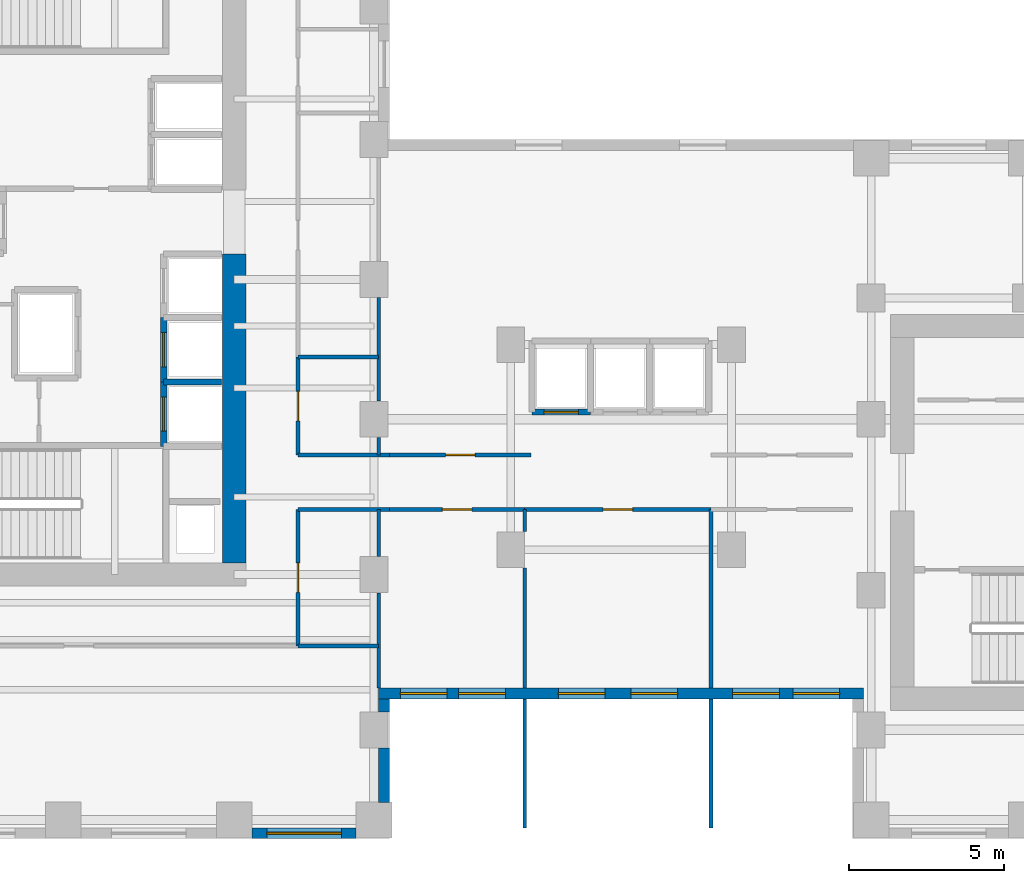
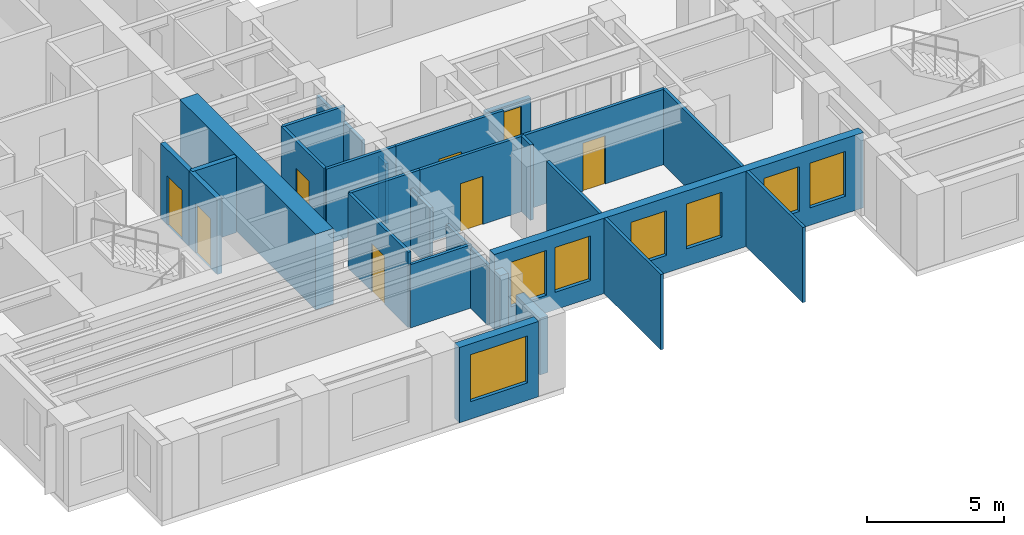
# One storey, part 4 of 11: 27 walls, 8 doors, 7 windows, 15 openings.
"""IFC4 building model written with IfcOpenShell, lengths in metres."""

from ifc_helpers import new_model, si_unit, direction, frame, frame_2d, origin, place, context, subcontext, project, spatial, rectangle, extrude, source, transform, mapped, material, layer, layer_set, type_object, element, fill, save


model = new_model("IFC4")

# Units and contexts
model_context = context("Model", 3, precision=1e-05, world=origin(), true_north=direction((0.0, 1.0)))
body_context = subcontext(model_context, "Body", "Model", "MODEL_VIEW")
ifc_project = project(units=[si_unit("LENGTHUNIT", "METRE"), si_unit("AREAUNIT", "SQUARE_METRE"), si_unit("VOLUMEUNIT", "CUBIC_METRE"), si_unit("PLANEANGLEUNIT", "RADIAN"), si_unit("MASSUNIT", "GRAM", prefix="KILO")], contexts=[model_context])

# Site, building, storey
site_placement = place(None, origin())
site = spatial("IfcSite", under=ifc_project, at=site_placement, CompositionType="ELEMENT")
building_placement = place(site_placement, origin())
building = spatial("IfcBuilding", under=site, at=building_placement, Name="Kharzan Plaza Tower", CompositionType="ELEMENT")
storey_placement = place(building_placement, frame((0.0, 0.0, 84.60009765625)))
storey = spatial("IfcBuildingStorey", under=building, at=storey_placement, Name="L22", CompositionType="ELEMENT", Elevation=84.60009765625)

# Wall, opening, window
ifc_material_1 = material(Name="Concrete C40/50", Category="concrete")
ifc_layer_1 = layer(ifc_material_1, 0.35009765625)
ifc_layer_set_1 = layer_set([ifc_layer_1], Name="Concrete C40/50")
wall_type_1 = type_object("IfcWallType", Name="WL-EXT-MAS-Z2", PredefinedType="SOLIDWALL", material=ifc_layer_set_1)
wall_1_placement = place(storey_placement, frame((15.072998046875, 0.175048828125, 0.0), z_axis=(0.0, 0.0, 1.0), x_axis=(1.0, 0.0, 0.0)))
wall_1 = element("IfcWall", 1, at=wall_1_placement, inside=storey, type_object=wall_type_1, Name="L22 Masonry-Frame Exterior Wall 24", PredefinedType="SOLIDWALL", context=body_context, shape_type="SweptSolid", body=[
    extrude(rectangle(XDim=3.35400390625, YDim=0.35009765625, at=frame_2d((1.677001953125, 0.0))), origin(), (0.0, 0.0, 1.0), 3.364990234375),
])
opening_1_placement = place(wall_1_placement, frame((0.47705078125, 0.0, 0.780029296875)))
opening_1 = element("IfcOpeningElement", 2, at=opening_1_placement, cuts=wall_1, Name="Opening W2", PredefinedType="OPENING", context=body_context, shape_type="SweptSolid", body=[
    extrude(rectangle(XDim=2.39990234375, YDim=2.10009765625, at=frame_2d((1.199951171875, 1.050048828125))), frame((0.0, 0.18505859375, 0.0), z_axis=(0.0, -1.0, 0.0), x_axis=(1.0, 0.0, 0.0)), (0.0, 0.0, 1.0), 0.3701171875),
])
ifc_material_2 = material(Name="Low-E Double Glazing", Category="glass")
window_type_1 = type_object("IfcWindowType", Name="WN-REC-2400x2100", PartitioningType="SINGLE_PANEL", PredefinedType="WINDOW", material=ifc_material_2)
shared_shape_1 = source(origin(), body_context, "Body", "SweptSolid", [
    extrude(rectangle(XDim=2.39990234375, YDim=2.10009765625, at=frame_2d((1.199951171875, 1.050048828125))), frame((0.0, 0.030029296875, 0.0), z_axis=(0.0, -1.0, 0.0), x_axis=(1.0, 0.0, 0.0)), (0.0, 0.0, 1.0), 0.06005859375),
])
window_1_placement = place(opening_1_placement, origin())
window_1 = element("IfcWindow", 3, at=window_1_placement, inside=storey, type_object=window_type_1, Name="L22 Wide Recessed Solar-Control Window 24-1", OverallHeight=2.10009765625, OverallWidth=2.39990234375, PartitioningType="SINGLE_PANEL", PredefinedType="WINDOW", context=body_context, shape_type="MappedRepresentation", body=[
    mapped(shared_shape_1, transform((0.0, 0.0, 0.0), x_axis=(1.0, 0.0, 0.0), y_axis=(0.0, 1.0, 0.0), z_axis=(0.0, 0.0, 1.0))),
])
fill(opening_1, window_1)

# Wall, openings, windows
wall_2_placement = place(storey_placement, frame((19.14990234375, 4.675048828125, 0.0), z_axis=(0.0, 0.0, 1.0), x_axis=(1.0, 0.0, 0.0)))
wall_2 = element("IfcWall", 4, at=wall_2_placement, inside=storey, type_object=wall_type_1, Name="L22 Masonry-Frame Exterior Wall 27", PredefinedType="SOLIDWALL", context=body_context, shape_type="SweptSolid", body=[
    extrude(rectangle(XDim=15.60009765625, YDim=0.35009765625, at=frame_2d((7.800048828125, 0.0))), origin(), (0.0, 0.0, 1.0), 3.364990234375),
])
opening_2_placement = place(wall_2_placement, frame((0.69677734375, 0.0, 0.780029296875)))
opening_2 = element("IfcOpeningElement", 5, at=opening_2_placement, cuts=wall_2, Name="Opening W5", PredefinedType="OPENING", context=body_context, shape_type="SweptSolid", body=[
    extrude(rectangle(XDim=1.5, YDim=2.0, at=frame_2d((0.75, 1.0))), frame((0.0, 0.18505859375, 0.0), z_axis=(0.0, -1.0, 0.0), x_axis=(1.0, 0.0, 0.0)), (0.0, 0.0, 1.0), 0.3701171875),
])
opening_3_placement = place(wall_2_placement, frame((2.5732421875, 0.0, 0.780029296875)))
opening_3 = element("IfcOpeningElement", 6, at=opening_3_placement, cuts=wall_2, Name="Opening W5", PredefinedType="OPENING", context=body_context, shape_type="SweptSolid", body=[
    extrude(rectangle(XDim=1.5, YDim=2.0, at=frame_2d((0.75, 1.0))), frame((0.0, 0.18505859375, 0.0), z_axis=(0.0, -1.0, 0.0), x_axis=(1.0, 0.0, 0.0)), (0.0, 0.0, 1.0), 0.3701171875),
])
opening_4_placement = place(wall_2_placement, frame((5.783203125, 0.0, 0.780029296875)))
opening_4 = element("IfcOpeningElement", 7, at=opening_4_placement, cuts=wall_2, Name="Opening W5", PredefinedType="OPENING", context=body_context, shape_type="SweptSolid", body=[
    extrude(rectangle(XDim=1.5, YDim=2.0, at=frame_2d((0.75, 1.0))), frame((0.0, 0.18505859375, 0.0), z_axis=(0.0, -1.0, 0.0), x_axis=(1.0, 0.0, 0.0)), (0.0, 0.0, 1.0), 0.3701171875),
])
opening_5_placement = place(wall_2_placement, frame((8.11669921875, 0.0, 0.780029296875)))
opening_5 = element("IfcOpeningElement", 8, at=opening_5_placement, cuts=wall_2, Name="Opening W5", PredefinedType="OPENING", context=body_context, shape_type="SweptSolid", body=[
    extrude(rectangle(XDim=1.5, YDim=2.0, at=frame_2d((0.75, 1.0))), frame((0.0, 0.18505859375, 0.0), z_axis=(0.0, -1.0, 0.0), x_axis=(1.0, 0.0, 0.0)), (0.0, 0.0, 1.0), 0.3701171875),
])
opening_6_placement = place(wall_2_placement, frame((11.393310546875, 0.0, 0.780029296875)))
opening_6 = element("IfcOpeningElement", 9, at=opening_6_placement, cuts=wall_2, Name="Opening W5", PredefinedType="OPENING", context=body_context, shape_type="SweptSolid", body=[
    extrude(rectangle(XDim=1.5, YDim=2.0, at=frame_2d((0.75, 1.0))), frame((0.0, 0.18505859375, 0.0), z_axis=(0.0, -1.0, 0.0), x_axis=(1.0, 0.0, 0.0)), (0.0, 0.0, 1.0), 0.3701171875),
])
opening_7_placement = place(wall_2_placement, frame((13.336669921875, 0.0, 0.780029296875)))
opening_7 = element("IfcOpeningElement", 10, at=opening_7_placement, cuts=wall_2, Name="Opening W5", PredefinedType="OPENING", context=body_context, shape_type="SweptSolid", body=[
    extrude(rectangle(XDim=1.5, YDim=2.0, at=frame_2d((0.75, 1.0))), frame((0.0, 0.18505859375, 0.0), z_axis=(0.0, -1.0, 0.0), x_axis=(1.0, 0.0, 0.0)), (0.0, 0.0, 1.0), 0.3701171875),
])
window_type_2 = type_object("IfcWindowType", Name="WN-SLT-1500x2000", PartitioningType="SINGLE_PANEL", PredefinedType="WINDOW", material=ifc_material_2)
shared_shape_2 = source(origin(), body_context, "Body", "SweptSolid", [
    extrude(rectangle(XDim=1.5, YDim=2.0, at=frame_2d((0.75, 1.0))), frame((0.0, 0.030029296875, 0.0), z_axis=(0.0, -1.0, 0.0), x_axis=(1.0, 0.0, 0.0)), (0.0, 0.0, 1.0), 0.06005859375),
])
window_2_placement = place(opening_2_placement, origin())
window_2 = element("IfcWindow", 11, at=window_2_placement, inside=storey, type_object=window_type_2, Name="L22 Recessed Solar-Control Window 27-1", OverallHeight=2.0, OverallWidth=1.5, PartitioningType="SINGLE_PANEL", PredefinedType="WINDOW", context=body_context, shape_type="MappedRepresentation", body=[
    mapped(shared_shape_2, transform((0.0, 0.0, 0.0), x_axis=(1.0, 0.0, 0.0), y_axis=(0.0, 1.0, 0.0), z_axis=(0.0, 0.0, 1.0))),
])
fill(opening_2, window_2)
window_3_placement = place(opening_3_placement, origin())
window_3 = element("IfcWindow", 12, at=window_3_placement, inside=storey, type_object=window_type_2, Name="L22 Recessed Solar-Control Window 27-2", OverallHeight=2.0, OverallWidth=1.5, PartitioningType="SINGLE_PANEL", PredefinedType="WINDOW", context=body_context, shape_type="MappedRepresentation", body=[
    mapped(shared_shape_2, transform((0.0, 0.0, 0.0), x_axis=(1.0, 0.0, 0.0), y_axis=(0.0, 1.0, 0.0), z_axis=(0.0, 0.0, 1.0))),
])
fill(opening_3, window_3)
window_4_placement = place(opening_4_placement, origin())
window_4 = element("IfcWindow", 13, at=window_4_placement, inside=storey, type_object=window_type_2, Name="L22 Recessed Solar-Control Window 27-3", OverallHeight=2.0, OverallWidth=1.5, PartitioningType="SINGLE_PANEL", PredefinedType="WINDOW", context=body_context, shape_type="MappedRepresentation", body=[
    mapped(shared_shape_2, transform((0.0, 0.0, 0.0), x_axis=(1.0, 0.0, 0.0), y_axis=(0.0, 1.0, 0.0), z_axis=(0.0, 0.0, 1.0))),
])
fill(opening_4, window_4)
window_5_placement = place(opening_5_placement, origin())
window_5 = element("IfcWindow", 14, at=window_5_placement, inside=storey, type_object=window_type_2, Name="L22 Recessed Solar-Control Window 27-4", OverallHeight=2.0, OverallWidth=1.5, PartitioningType="SINGLE_PANEL", PredefinedType="WINDOW", context=body_context, shape_type="MappedRepresentation", body=[
    mapped(shared_shape_2, transform((0.0, 0.0, 0.0), x_axis=(1.0, 0.0, 0.0), y_axis=(0.0, 1.0, 0.0), z_axis=(0.0, 0.0, 1.0))),
])
fill(opening_5, window_5)
window_6_placement = place(opening_6_placement, origin())
window_6 = element("IfcWindow", 15, at=window_6_placement, inside=storey, type_object=window_type_2, Name="L22 Recessed Solar-Control Window 27-5", OverallHeight=2.0, OverallWidth=1.5, PartitioningType="SINGLE_PANEL", PredefinedType="WINDOW", context=body_context, shape_type="MappedRepresentation", body=[
    mapped(shared_shape_2, transform((0.0, 0.0, 0.0), x_axis=(1.0, 0.0, 0.0), y_axis=(0.0, 1.0, 0.0), z_axis=(0.0, 0.0, 1.0))),
])
fill(opening_6, window_6)
window_7_placement = place(opening_7_placement, origin())
window_7 = element("IfcWindow", 16, at=window_7_placement, inside=storey, type_object=window_type_2, Name="L22 Recessed Solar-Control Window 27-6", OverallHeight=2.0, OverallWidth=1.5, PartitioningType="SINGLE_PANEL", PredefinedType="WINDOW", context=body_context, shape_type="MappedRepresentation", body=[
    mapped(shared_shape_2, transform((0.0, 0.0, 0.0), x_axis=(1.0, 0.0, 0.0), y_axis=(0.0, 1.0, 0.0), z_axis=(0.0, 0.0, 1.0))),
])
fill(opening_7, window_7)

# Wall, opening, door
ifc_material_3 = material(Name="Fire-Rated Gypsum Board Partition", Category="gypsum")
ifc_layer_2 = layer(ifc_material_3, 0.125)
ifc_layer_set_2 = layer_set([ifc_layer_2], Name="Fire-Rated Gypsum Board Partition")
wall_type_2 = type_object("IfcWallType", Name="WL-INT-PART-125", PredefinedType="PARTITIONING", material=ifc_layer_set_2)
wall_3_placement = place(storey_placement, frame((16.550048828125, 12.35009765625, 0.0), z_axis=(0.0, 0.0, 1.0), x_axis=(0.0, 1.0, 0.0)))
wall_3 = element("IfcWall", 17, at=wall_3_placement, inside=storey, type_object=wall_type_2, Name="L22 Interior Partition SH-AEWN1", PredefinedType="PARTITIONING", context=body_context, shape_type="SweptSolid", body=[
    extrude(rectangle(XDim=3.14990234375, YDim=0.125, at=frame_2d((1.574951171875, 0.0))), origin(), (0.0, 0.0, 1.0), 3.364990234375),
])
opening_8_placement = place(wall_3_placement, frame((1.10009765625, 0.0, 0.0)))
opening_8 = element("IfcOpeningElement", 18, at=opening_8_placement, cuts=wall_3, Name="Opening OD1", PredefinedType="OPENING", context=body_context, shape_type="SweptSolid", body=[
    extrude(rectangle(XDim=0.949951171875, YDim=2.14990234375, at=frame_2d((0.47509765625, 1.074951171875))), frame((0.0, 0.072509765625, 0.0), z_axis=(0.0, -1.0, 0.0), x_axis=(1.0, 0.0, 0.0)), (0.0, 0.0, 1.0), 0.14501953125),
])
ifc_material_4 = material(Name="Acoustic Solid-Core Stained Oak", Category="timber")
door_type_1 = type_object("IfcDoorType", Name="DR-OFF-SINGLE", OperationType="NOTDEFINED", PredefinedType="DOOR", material=ifc_material_4)
shared_shape_3 = source(origin(), body_context, "Body", "SweptSolid", [
    extrude(rectangle(XDim=0.949951171875, YDim=2.14990234375, at=frame_2d((0.47509765625, 1.074951171875))), frame((0.0, 0.02490234375, 0.0), z_axis=(0.0, -1.0, 0.0), x_axis=(1.0, 0.0, 0.0)), (0.0, 0.0, 1.0), 0.050048828125),
])
door_1_placement = place(opening_8_placement, origin())
door_1 = element("IfcDoor", 19, at=door_1_placement, inside=storey, type_object=door_type_1, Name="L22 Slot Collaboration Door", OperationType="SINGLE_SWING_RIGHT", OverallHeight=2.14990234375, OverallWidth=0.949951171875, PredefinedType="DOOR", context=body_context, shape_type="MappedRepresentation", body=[
    mapped(shared_shape_3, transform((0.0, 0.0, 0.0), x_axis=(1.0, 0.0, 0.0), y_axis=(0.0, 1.0, 0.0), z_axis=(0.0, 0.0, 1.0))),
])
fill(opening_8, door_1)

wall_4_placement = place(storey_placement, frame((16.550048828125, 6.199951171875, 0.0), z_axis=(0.0, 0.0, 1.0), x_axis=(0.0, 1.0, 0.0)))
wall_4 = element("IfcWall", 20, at=wall_4_placement, inside=storey, type_object=wall_type_2, Name="L22 Interior Partition SH-AEWS", PredefinedType="PARTITIONING", context=body_context, shape_type="SweptSolid", body=[
    extrude(rectangle(XDim=4.400146484375, YDim=0.125, at=frame_2d((2.2001953125, 0.0))), origin(), (0.0, 0.0, 1.0), 3.364990234375),
])
opening_9_placement = place(wall_4_placement, frame((1.72509765625, 0.0, 0.0)))
opening_9 = element("IfcOpeningElement", 21, at=opening_9_placement, cuts=wall_4, Name="Opening OD1", PredefinedType="OPENING", context=body_context, shape_type="SweptSolid", body=[
    extrude(rectangle(XDim=0.949951171875, YDim=2.14990234375, at=frame_2d((0.47509765625, 1.074951171875))), frame((0.0, 0.072509765625, 0.0), z_axis=(0.0, -1.0, 0.0), x_axis=(1.0, 0.0, 0.0)), (0.0, 0.0, 1.0), 0.14501953125),
])
door_2_placement = place(opening_9_placement, origin())
door_2 = element("IfcDoor", 22, at=door_2_placement, inside=storey, type_object=door_type_1, Name="L22 Slot South Office Door", OperationType="SINGLE_SWING_LEFT", OverallHeight=2.14990234375, OverallWidth=0.949951171875, PredefinedType="DOOR", context=body_context, shape_type="MappedRepresentation", body=[
    mapped(shared_shape_3, transform((0.0, 0.0, 0.0), x_axis=(1.0, 0.0, 0.0), y_axis=(0.0, 1.0, 0.0), z_axis=(0.0, 0.0, 1.0))),
])
fill(opening_9, door_2)

wall_5_placement = place(storey_placement, frame((19.5, 12.35009765625, 0.0), z_axis=(0.0, 0.0, 1.0), x_axis=(1.0, 0.0, 0.0)))
wall_5 = element("IfcWall", 23, at=wall_5_placement, inside=storey, type_object=wall_type_2, Name="L22 Interior Partition SH-SPNW1", PredefinedType="PARTITIONING", context=body_context, shape_type="SweptSolid", body=[
    extrude(rectangle(XDim=4.550048828125, YDim=0.125, at=frame_2d((2.27490234375, 0.0))), origin(), (0.0, 0.0, 1.0), 3.364990234375),
])
opening_10_placement = place(wall_5_placement, frame((1.800048828125, 0.0, 0.0)))
opening_10 = element("IfcOpeningElement", 24, at=opening_10_placement, cuts=wall_5, Name="Opening OD1", PredefinedType="OPENING", context=body_context, shape_type="SweptSolid", body=[
    extrude(rectangle(XDim=0.949951171875, YDim=2.14990234375, at=frame_2d((0.47509765625, 1.074951171875))), frame((0.0, 0.072509765625, 0.0), z_axis=(0.0, -1.0, 0.0), x_axis=(1.0, 0.0, 0.0)), (0.0, 0.0, 1.0), 0.14501953125),
])
door_3_placement = place(opening_10_placement, origin())
door_3 = element("IfcDoor", 25, at=door_3_placement, inside=storey, type_object=door_type_1, Name="L22 North-West Spine Door", OperationType="SINGLE_SWING_LEFT", OverallHeight=2.14990234375, OverallWidth=0.949951171875, PredefinedType="DOOR", context=body_context, shape_type="MappedRepresentation", body=[
    mapped(shared_shape_3, transform((0.0, 0.0, 0.0), x_axis=(1.0, 0.0, 0.0), y_axis=(0.0, 1.0, 0.0), z_axis=(0.0, 0.0, 1.0))),
])
fill(opening_10, door_3)

wall_6_placement = place(storey_placement, frame((19.5, 10.60009765625, 0.0), z_axis=(0.0, 0.0, 1.0), x_axis=(1.0, 0.0, 0.0)))
wall_6 = element("IfcWall", 26, at=wall_6_placement, inside=storey, type_object=wall_type_2, Name="L22 Interior Partition SH-SPS1", PredefinedType="PARTITIONING", context=body_context, shape_type="SweptSolid", body=[
    extrude(rectangle(XDim=4.35009765625, YDim=0.125, at=frame_2d((2.175048828125, 0.0))), origin(), (0.0, 0.0, 1.0), 3.364990234375),
])
opening_11_placement = place(wall_6_placement, frame((1.699951171875, 0.0, 0.0)))
opening_11 = element("IfcOpeningElement", 27, at=opening_11_placement, cuts=wall_6, Name="Opening OD1", PredefinedType="OPENING", context=body_context, shape_type="SweptSolid", body=[
    extrude(rectangle(XDim=0.949951171875, YDim=2.14990234375, at=frame_2d((0.47509765625, 1.074951171875))), frame((0.0, 0.072509765625, 0.0), z_axis=(0.0, -1.0, 0.0), x_axis=(1.0, 0.0, 0.0)), (0.0, 0.0, 1.0), 0.14501953125),
])
door_4_placement = place(opening_11_placement, origin())
door_4 = element("IfcDoor", 28, at=door_4_placement, inside=storey, type_object=door_type_1, Name="L22 Spine Studio 1 Door", OperationType="SINGLE_SWING_RIGHT", OverallHeight=2.14990234375, OverallWidth=0.949951171875, PredefinedType="DOOR", context=body_context, shape_type="MappedRepresentation", body=[
    mapped(shared_shape_3, transform((0.0, 0.0, 0.0), x_axis=(1.0, 0.0, 0.0), y_axis=(0.0, 1.0, 0.0), z_axis=(0.0, 0.0, 1.0))),
])
fill(opening_11, door_4)

wall_7_placement = place(storey_placement, frame((23.85009765625, 10.60009765625, 0.0), z_axis=(0.0, 0.0, 1.0), x_axis=(1.0, 0.0, 0.0)))
wall_7 = element("IfcWall", 29, at=wall_7_placement, inside=storey, type_object=wall_type_2, Name="L22 Interior Partition SH-SPS2", PredefinedType="PARTITIONING", context=body_context, shape_type="SweptSolid", body=[
    extrude(rectangle(XDim=6.0, YDim=0.125, at=frame_2d((3.0, 0.0))), origin(), (0.0, 0.0, 1.0), 3.364990234375),
])
opening_12_placement = place(wall_7_placement, frame((2.52490234375, 0.0, 0.0)))
opening_12 = element("IfcOpeningElement", 30, at=opening_12_placement, cuts=wall_7, Name="Opening OD1", PredefinedType="OPENING", context=body_context, shape_type="SweptSolid", body=[
    extrude(rectangle(XDim=0.949951171875, YDim=2.14990234375, at=frame_2d((0.47509765625, 1.074951171875))), frame((0.0, 0.072509765625, 0.0), z_axis=(0.0, -1.0, 0.0), x_axis=(1.0, 0.0, 0.0)), (0.0, 0.0, 1.0), 0.14501953125),
])
door_5_placement = place(opening_12_placement, origin())
door_5 = element("IfcDoor", 31, at=door_5_placement, inside=storey, type_object=door_type_1, Name="L22 Spine Studio 2 Door", OperationType="SINGLE_SWING_LEFT", OverallHeight=2.14990234375, OverallWidth=0.949951171875, PredefinedType="DOOR", context=body_context, shape_type="MappedRepresentation", body=[
    mapped(shared_shape_3, transform((0.0, 0.0, 0.0), x_axis=(1.0, 0.0, 0.0), y_axis=(0.0, 1.0, 0.0), z_axis=(0.0, 0.0, 1.0))),
])
fill(opening_12, door_5)

ifc_layer_3 = layer(ifc_material_1, 0.199951171875)
ifc_layer_set_3 = layer_set([ifc_layer_3], Name="Concrete C40/50")
wall_type_3 = type_object("IfcWallType", Name="WL-INT-SHAFT-200", PredefinedType="PARTITIONING", material=ifc_layer_set_3)
wall_8_placement = place(storey_placement, frame((12.22998046875, 12.6298828125, 0.0), z_axis=(0.0, 0.0, 1.0), x_axis=(0.0, 1.0, 0.0)))
wall_8 = element("IfcWall", 32, at=wall_8_placement, inside=storey, type_object=wall_type_3, Name="L22 Interior Partition SHF-PL-H1-W", PredefinedType="PARTITIONING", context=body_context, shape_type="SweptSolid", body=[
    extrude(rectangle(XDim=2.070068359375, YDim=0.199951171875, at=frame_2d((1.03515625, 0.0))), origin(), (0.0, 0.0, 1.0), 3.364990234375),
])
opening_13_placement = place(wall_8_placement, frame((0.485107421875, 0.0, 0.0)))
opening_13 = element("IfcOpeningElement", 33, at=opening_13_placement, cuts=wall_8, Name="Opening LD", PredefinedType="OPENING", context=body_context, shape_type="SweptSolid", body=[
    extrude(rectangle(XDim=1.10009765625, YDim=2.199951171875, at=frame_2d((0.550048828125, 1.10009765625))), frame((0.0, 0.10986328125, 0.0), z_axis=(0.0, -1.0, 0.0), x_axis=(1.0, 0.0, 0.0)), (0.0, 0.0, 1.0), 0.219970703125),
])
ifc_material_5 = material(Name="Brushed Stainless Steel", Category="steel")
door_type_2 = type_object("IfcDoorType", Name="DR-LIFT-SLIDE", OperationType="SLIDING_TO_LEFT", PredefinedType="DOOR", material=ifc_material_5)
shared_shape_4 = source(origin(), body_context, "Body", "SweptSolid", [
    extrude(rectangle(XDim=1.10009765625, YDim=2.199951171875, at=frame_2d((0.550048828125, 1.10009765625))), frame((0.0, 0.02490234375, 0.0), z_axis=(0.0, -1.0, 0.0), x_axis=(1.0, 0.0, 0.0)), (0.0, 0.0, 1.0), 0.050048828125),
])
door_6_placement = place(opening_13_placement, origin())
door_6 = element("IfcDoor", 34, at=door_6_placement, inside=storey, type_object=door_type_2, Name="L22 High-Rise Passenger Lift PL-H1 Sliding Landing Door", OperationType="SLIDING_TO_LEFT", OverallHeight=2.199951171875, OverallWidth=1.10009765625, PredefinedType="DOOR", context=body_context, shape_type="MappedRepresentation", body=[
    mapped(shared_shape_4, transform((0.0, 0.0, 0.0), x_axis=(1.0, 0.0, 0.0), y_axis=(0.0, 1.0, 0.0), z_axis=(0.0, 0.0, 1.0))),
])
fill(opening_13, door_6)

wall_9_placement = place(storey_placement, frame((12.22998046875, 14.699951171875, 0.0), z_axis=(0.0, 0.0, 1.0), x_axis=(0.0, 1.0, 0.0)))
wall_9 = element("IfcWall", 35, at=wall_9_placement, inside=storey, type_object=wall_type_3, Name="L22 Interior Partition SHF-PL-H2-W", PredefinedType="PARTITIONING", context=body_context, shape_type="SweptSolid", body=[
    extrude(rectangle(XDim=2.070068359375, YDim=0.199951171875, at=frame_2d((1.03515625, 0.0))), origin(), (0.0, 0.0, 1.0), 3.364990234375),
])
opening_14_placement = place(wall_9_placement, frame((0.485107421875, 0.0, 0.0)))
opening_14 = element("IfcOpeningElement", 36, at=opening_14_placement, cuts=wall_9, Name="Opening LD", PredefinedType="OPENING", context=body_context, shape_type="SweptSolid", body=[
    extrude(rectangle(XDim=1.10009765625, YDim=2.199951171875, at=frame_2d((0.550048828125, 1.10009765625))), frame((0.0, 0.10986328125, 0.0), z_axis=(0.0, -1.0, 0.0), x_axis=(1.0, 0.0, 0.0)), (0.0, 0.0, 1.0), 0.219970703125),
])
door_7_placement = place(opening_14_placement, origin())
door_7 = element("IfcDoor", 37, at=door_7_placement, inside=storey, type_object=door_type_2, Name="L22 High-Rise Passenger Lift PL-H2 Sliding Landing Door", OperationType="SLIDING_TO_LEFT", OverallHeight=2.199951171875, OverallWidth=1.10009765625, PredefinedType="DOOR", context=body_context, shape_type="MappedRepresentation", body=[
    mapped(shared_shape_4, transform((0.0, 0.0, 0.0), x_axis=(1.0, 0.0, 0.0), y_axis=(0.0, 1.0, 0.0), z_axis=(0.0, 0.0, 1.0))),
])
fill(opening_14, door_7)

wall_10_placement = place(storey_placement, frame((24.080078125, 13.72998046875, 0.0), z_axis=(0.0, 0.0, 1.0), x_axis=(1.0, 0.0, 0.0)))
wall_10 = element("IfcWall", 38, at=wall_10_placement, inside=storey, type_object=wall_type_3, Name="L22 Interior Partition SHF-PL-M1-S", PredefinedType="PARTITIONING", context=body_context, shape_type="SweptSolid", body=[
    extrude(rectangle(XDim=1.889892578125, YDim=0.199951171875, at=frame_2d((0.94482421875, 0.0))), origin(), (0.0, 0.0, 1.0), 2.44580078125),
])
opening_15_placement = place(wall_10_placement, frame((0.39501953125, 0.0, 0.0)))
opening_15 = element("IfcOpeningElement", 39, at=opening_15_placement, cuts=wall_10, Name="Opening LD", PredefinedType="OPENING", context=body_context, shape_type="SweptSolid", body=[
    extrude(rectangle(XDim=1.10009765625, YDim=2.199951171875, at=frame_2d((0.550048828125, 1.10009765625))), frame((0.0, 0.10986328125, 0.0), z_axis=(0.0, -1.0, 0.0), x_axis=(1.0, 0.0, 0.0)), (0.0, 0.0, 1.0), 0.219970703125),
])
door_8_placement = place(opening_15_placement, origin())
door_8 = element("IfcDoor", 40, at=door_8_placement, inside=storey, type_object=door_type_2, Name="L22 Mid-Rise Passenger Lift PL-M1 Sliding Landing Door", OperationType="SLIDING_TO_LEFT", OverallHeight=2.199951171875, OverallWidth=1.10009765625, PredefinedType="DOOR", context=body_context, shape_type="MappedRepresentation", body=[
    mapped(shared_shape_4, transform((0.0, 0.0, 0.0), x_axis=(1.0, 0.0, 0.0), y_axis=(0.0, 1.0, 0.0), z_axis=(0.0, 0.0, 1.0))),
])
fill(opening_15, door_8)

# Walls
shared_shape_5 = source(origin(), body_context, "Body", "SweptSolid", [
    extrude(rectangle(XDim=2.949951171875, YDim=0.125, at=frame_2d((1.47509765625, 0.0))), origin(), (0.0, 0.0, 1.0), 3.364990234375),
])
for number, where, z_axis, x_axis, name in (
    (41, (16.550048828125, 12.35009765625, 0.0), (0.0, 0.0, 1.0), (1.0, 0.0, 0.0), "L22 Interior Partition SH-SPNW0"),
    (42, (16.550048828125, 10.60009765625, 0.0), (0.0, 0.0, 1.0), (1.0, 0.0, 0.0), "L22 Interior Partition SH-SPS0"),
):
    element("IfcWall", number, at=place(storey_placement, frame(where, z_axis=z_axis, x_axis=x_axis)), inside=storey, type_object=wall_type_2, Name=name, PredefinedType="PARTITIONING", context=body_context, shape_type="MappedRepresentation", body=[
        mapped(shared_shape_5, transform((0.0, 0.0, 0.0), x_axis=(1.0, 0.0, 0.0), y_axis=(0.0, 1.0, 0.0), z_axis=(0.0, 0.0, 1.0))),
    ])
shared_shape_6 = source(origin(), body_context, "Body", "SweptSolid", [
    extrude(rectangle(XDim=2.599853515625, YDim=0.125, at=frame_2d((1.2998046875, 0.0))), origin(), (0.0, 0.0, 1.0), 3.364990234375),
])
wall_11_placement = place(storey_placement, frame((16.550048828125, 15.5, 0.0), z_axis=(0.0, 0.0, 1.0), x_axis=(1.0, 0.0, 0.0)))
element("IfcWall", 43, at=wall_11_placement, inside=storey, type_object=wall_type_2, Name="L22 Interior Partition SH-AEH-155", PredefinedType="PARTITIONING", context=body_context, shape_type="MappedRepresentation", body=[
    mapped(shared_shape_6, transform((0.0, 0.0, 0.0), x_axis=(1.0, 0.0, 0.0), y_axis=(0.0, 1.0, 0.0), z_axis=(0.0, 0.0, 1.0))),
])
shared_shape_7 = source(origin(), body_context, "Body", "SweptSolid", [
    extrude(rectangle(XDim=0.428955078125, YDim=0.35009765625, at=frame_2d((0.21435546875, 0.0))), origin(), (0.0, 0.0, 1.0), 2.677001953125),
])
wall_12_placement = place(storey_placement, frame((19.324951171875, 4.072998046875, 0.0), z_axis=(0.0, 0.0, 1.0), x_axis=(0.0, 1.0, 0.0)))
element("IfcWall", 44, at=wall_12_placement, inside=storey, type_object=wall_type_1, Name="L22 Masonry-Frame Exterior Wall 26", PredefinedType="SOLIDWALL", context=body_context, shape_type="MappedRepresentation", body=[
    mapped(shared_shape_7, transform((0.0, 0.0, 0.0), x_axis=(1.0, 0.0, 0.0), y_axis=(0.0, 1.0, 0.0), z_axis=(0.0, 0.0, 1.0))),
])
shared_shape_8 = source(origin(), body_context, "Body", "SweptSolid", [
    extrude(rectangle(XDim=0.559814453125, YDim=0.125, at=frame_2d((0.27978515625, 0.0))), origin(), (0.0, 0.0, 1.0), 2.677001953125),
])
wall_13_placement = place(storey_placement, frame((19.14990234375, 12.35009765625, 0.0), z_axis=(0.0, 0.0, 1.0), x_axis=(0.0, 1.0, 0.0)))
element("IfcWall", 45, at=wall_13_placement, inside=storey, type_object=wall_type_2, Name="L22 Interior Partition SH-AEN-DIV-S1", PredefinedType="PARTITIONING", context=body_context, shape_type="MappedRepresentation", body=[
    mapped(shared_shape_8, transform((0.0, 0.0, 0.0), x_axis=(1.0, 0.0, 0.0), y_axis=(0.0, 1.0, 0.0), z_axis=(0.0, 0.0, 1.0))),
])
shared_shape_9 = source(origin(), body_context, "Body", "SweptSolid", [
    extrude(rectangle(XDim=3.31982421875, YDim=0.125, at=frame_2d((1.659912109375, 0.0))), origin(), (0.0, 0.0, 1.0), 2.677001953125),
])
wall_14_placement = place(storey_placement, frame((19.14990234375, 14.090087890625, 0.0), z_axis=(0.0, 0.0, 1.0), x_axis=(0.0, 1.0, 0.0)))
element("IfcWall", 46, at=wall_14_placement, inside=storey, type_object=wall_type_2, Name="L22 Interior Partition SH-AEN-DIV-S2", PredefinedType="PARTITIONING", context=body_context, shape_type="MappedRepresentation", body=[
    mapped(shared_shape_9, transform((0.0, 0.0, 0.0), x_axis=(1.0, 0.0, 0.0), y_axis=(0.0, 1.0, 0.0), z_axis=(0.0, 0.0, 1.0))),
])
shared_shape_10 = source(origin(), body_context, "Body", "SweptSolid", [
    extrude(rectangle(XDim=3.057861328125, YDim=0.125, at=frame_2d((1.52880859375, 0.0))), origin(), (0.0, 0.0, 1.0), 2.677001953125),
])
wall_15_placement = place(storey_placement, frame((19.14990234375, 4.85205078125, 0.0), z_axis=(0.0, 0.0, 1.0), x_axis=(0.0, 1.0, 0.0)))
element("IfcWall", 47, at=wall_15_placement, inside=storey, type_object=wall_type_2, Name="L22 Interior Partition SH-AESP-DIV-S1", PredefinedType="PARTITIONING", context=body_context, shape_type="MappedRepresentation", body=[
    mapped(shared_shape_10, transform((0.0, 0.0, 0.0), x_axis=(1.0, 0.0, 0.0), y_axis=(0.0, 1.0, 0.0), z_axis=(0.0, 0.0, 1.0))),
])
shared_shape_11 = source(origin(), body_context, "Body", "SweptSolid", [
    extrude(rectangle(XDim=1.510009765625, YDim=0.125, at=frame_2d((0.7548828125, 0.0))), origin(), (0.0, 0.0, 1.0), 2.677001953125),
])
wall_16_placement = place(storey_placement, frame((19.14990234375, 9.090087890625, 0.0), z_axis=(0.0, 0.0, 1.0), x_axis=(0.0, 1.0, 0.0)))
element("IfcWall", 48, at=wall_16_placement, inside=storey, type_object=wall_type_2, Name="L22 Interior Partition SH-AESP-DIV-S2", PredefinedType="PARTITIONING", context=body_context, shape_type="MappedRepresentation", body=[
    mapped(shared_shape_11, transform((0.0, 0.0, 0.0), x_axis=(1.0, 0.0, 0.0), y_axis=(0.0, 1.0, 0.0), z_axis=(0.0, 0.0, 1.0))),
])
shared_shape_12 = source(origin(), body_context, "Body", "SweptSolid", [
    extrude(rectangle(XDim=4.14794921875, YDim=0.125, at=frame_2d((2.073974609375, 0.0))), origin(), (0.0, 0.0, 1.0), 3.364990234375),
])
for number, where, z_axis, x_axis, name in (
    (49, (23.85009765625, 0.35009765625, 0.0), (0.0, 0.0, 1.0), (0.0, 1.0, 0.0), "L22 Interior Partition SH-SPSV1-S1"),
    (50, (29.85009765625, 0.35009765625, 0.0), (0.0, 0.0, 1.0), (0.0, 1.0, 0.0), "L22 Interior Partition SH-SPSV2-S1"),
):
    element("IfcWall", number, at=place(storey_placement, frame(where, z_axis=z_axis, x_axis=x_axis)), inside=storey, type_object=wall_type_2, Name=name, PredefinedType="PARTITIONING", context=body_context, shape_type="MappedRepresentation", body=[
        mapped(shared_shape_12, transform((0.0, 0.0, 0.0), x_axis=(1.0, 0.0, 0.0), y_axis=(0.0, 1.0, 0.0), z_axis=(0.0, 0.0, 1.0))),
    ])
shared_shape_13 = source(origin(), body_context, "Body", "SweptSolid", [
    extrude(rectangle(XDim=5.748046875, YDim=0.125, at=frame_2d((2.8740234375, 0.0))), origin(), (0.0, 0.0, 1.0), 3.364990234375),
])
wall_17_placement = place(storey_placement, frame((29.85009765625, 4.85205078125, 0.0), z_axis=(0.0, 0.0, 1.0), x_axis=(0.0, 1.0, 0.0)))
element("IfcWall", 51, at=wall_17_placement, inside=storey, type_object=wall_type_2, Name="L22 Interior Partition SH-SPSV2-S2", PredefinedType="PARTITIONING", context=body_context, shape_type="MappedRepresentation", body=[
    mapped(shared_shape_13, transform((0.0, 0.0, 0.0), x_axis=(1.0, 0.0, 0.0), y_axis=(0.0, 1.0, 0.0), z_axis=(0.0, 0.0, 1.0))),
])
shared_shape_14 = source(origin(), body_context, "Body", "SweptSolid", [
    extrude(rectangle(XDim=1.864990234375, YDim=0.199951171875, at=frame_2d((0.9326171875, 0.0))), origin(), (0.0, 0.0, 1.0), 3.364990234375),
])
wall_18_placement = place(storey_placement, frame((12.22998046875, 14.699951171875, 0.0), z_axis=(0.0, 0.0, 1.0), x_axis=(1.0, 0.0, 0.0)))
element("IfcWall", 52, at=wall_18_placement, inside=storey, type_object=wall_type_3, Name="L22 Interior Partition SHF-PL-H1-N", PredefinedType="PARTITIONING", context=body_context, shape_type="MappedRepresentation", body=[
    mapped(shared_shape_14, transform((0.0, 0.0, 0.0), x_axis=(1.0, 0.0, 0.0), y_axis=(0.0, 1.0, 0.0), z_axis=(0.0, 0.0, 1.0))),
])
ifc_material_6 = material(Name="Concrete C60/75", Category="concrete")
ifc_layer_4 = layer(ifc_material_6, 0.75)
ifc_layer_set_4 = layer_set([ifc_layer_4], Name="Concrete C60/75")
wall_type_4 = type_object("IfcWallType", Name="WL-CORE-750", PredefinedType="SHEAR", material=ifc_layer_set_4)
shared_shape_15 = source(origin(), body_context, "Body", "SweptSolid", [
    extrude(rectangle(XDim=9.945068359375, YDim=0.75, at=frame_2d((4.97265625, 0.0))), origin(), (0.0, 0.0, 1.0), 3.3798828125),
])
wall_19_placement = place(storey_placement, frame((14.5, 8.875, 0.0), z_axis=(0.0, 0.0, 1.0), x_axis=(0.0, 1.0, 0.0)))
element("IfcWall", 53, at=wall_19_placement, inside=storey, type_object=wall_type_4, Name="L22 CORE-A east shear pier 1", PredefinedType="SHEAR", context=body_context, shape_type="MappedRepresentation", body=[
    mapped(shared_shape_15, transform((0.0, 0.0, 0.0), x_axis=(1.0, 0.0, 0.0), y_axis=(0.0, 1.0, 0.0), z_axis=(0.0, 0.0, 1.0))),
])
shared_shape_16 = source(origin(), body_context, "Body", "SweptSolid", [
    extrude(rectangle(XDim=1.75390625, YDim=0.35009765625, at=frame_2d((0.876953125, 0.0))), origin(), (0.0, 0.0, 1.0), 2.518798828125),
])
wall_20_placement = place(storey_placement, frame((19.324951171875, 1.173095703125, 0.0), z_axis=(0.0, 0.0, 1.0), x_axis=(0.0, 1.0, 0.0)))
element("IfcWall", 54, at=wall_20_placement, inside=storey, type_object=wall_type_1, Name="L22 Masonry-Frame Exterior Wall 25", PredefinedType="SOLIDWALL", context=body_context, shape_type="MappedRepresentation", body=[
    mapped(shared_shape_16, transform((0.0, 0.0, 0.0), x_axis=(1.0, 0.0, 0.0), y_axis=(0.0, 1.0, 0.0), z_axis=(0.0, 0.0, 1.0))),
])
shared_shape_17 = source(origin(), body_context, "Body", "SweptSolid", [
    extrude(rectangle(XDim=3.85791015625, YDim=0.125, at=frame_2d((1.928955078125, 0.0))), origin(), (0.0, 0.0, 1.0), 3.364990234375),
])
wall_21_placement = place(storey_placement, frame((23.85009765625, 4.85205078125, 0.0), z_axis=(0.0, 0.0, 1.0), x_axis=(0.0, 1.0, 0.0)))
element("IfcWall", 55, at=wall_21_placement, inside=storey, type_object=wall_type_2, Name="L22 Interior Partition SH-SPSV1-S2", PredefinedType="PARTITIONING", context=body_context, shape_type="MappedRepresentation", body=[
    mapped(shared_shape_17, transform((0.0, 0.0, 0.0), x_axis=(1.0, 0.0, 0.0), y_axis=(0.0, 1.0, 0.0), z_axis=(0.0, 0.0, 1.0))),
])
shared_shape_18 = source(origin(), body_context, "Body", "SweptSolid", [
    extrude(rectangle(XDim=0.710205078125, YDim=0.125, at=frame_2d((0.35498046875, 0.0))), origin(), (0.0, 0.0, 1.0), 3.364990234375),
])
wall_22_placement = place(storey_placement, frame((23.85009765625, 9.889892578125, 0.0), z_axis=(0.0, 0.0, 1.0), x_axis=(0.0, 1.0, 0.0)))
element("IfcWall", 56, at=wall_22_placement, inside=storey, type_object=wall_type_2, Name="L22 Interior Partition SH-SPSV1-S3", PredefinedType="PARTITIONING", context=body_context, shape_type="MappedRepresentation", body=[
    mapped(shared_shape_18, transform((0.0, 0.0, 0.0), x_axis=(1.0, 0.0, 0.0), y_axis=(0.0, 1.0, 0.0), z_axis=(0.0, 0.0, 1.0))),
])
shared_shape_19 = source(origin(), body_context, "Body", "SweptSolid", [
    extrude(rectangle(XDim=2.599853515625, YDim=0.125, at=frame_2d((1.2998046875, 0.0))), origin(), (0.0, 0.0, 1.0), 2.827880859375),
])
wall_23_placement = place(storey_placement, frame((16.550048828125, 6.199951171875, 0.0), z_axis=(0.0, 0.0, 1.0), x_axis=(1.0, 0.0, 0.0)))
element("IfcWall", 57, at=wall_23_placement, inside=storey, type_object=wall_type_2, Name="L22 Interior Partition SH-SSE-1", PredefinedType="PARTITIONING", context=body_context, shape_type="MappedRepresentation", body=[
    mapped(shared_shape_19, transform((0.0, 0.0, 0.0), x_axis=(1.0, 0.0, 0.0), y_axis=(0.0, 1.0, 0.0), z_axis=(0.0, 0.0, 1.0))),
])

save(model, "model.ifc")
